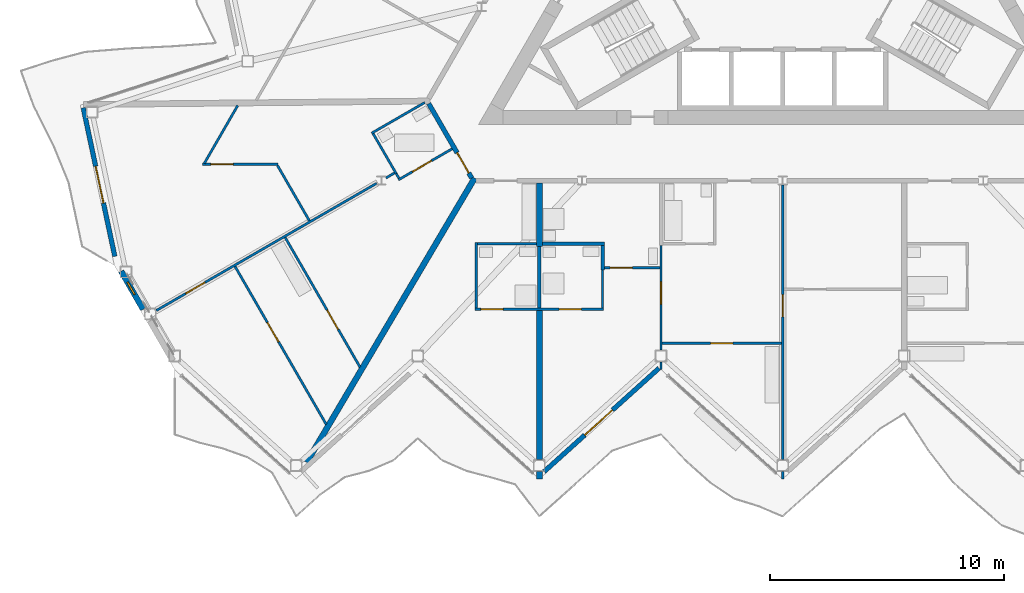
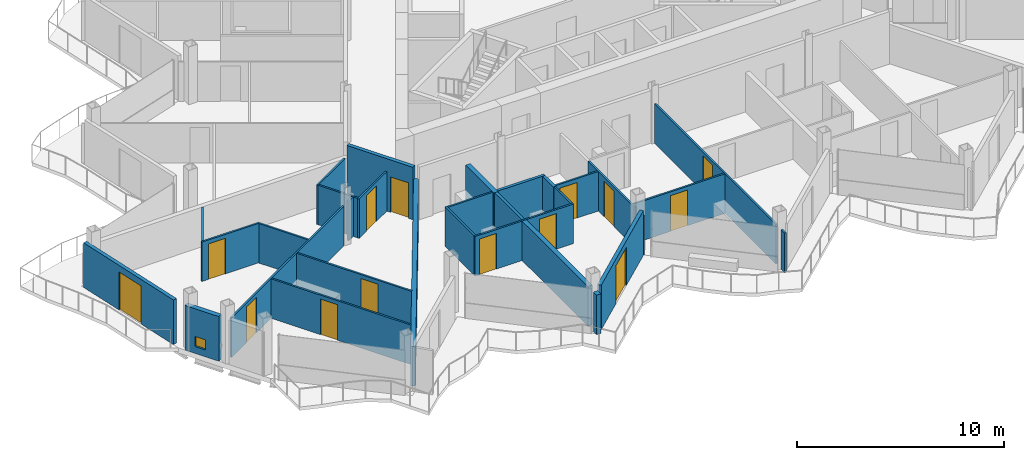
# One storey, part 12 of 26: 32 walls, 14 doors, 1 window, 15 openings.
"""IFC4 building model written with IfcOpenShell, lengths in metres."""

from ifc_helpers import new_model, si_unit, direction, frame, frame_2d, origin, place, context, subcontext, project, spatial, rectangle, extrude, material, layer, layer_set, type_object, element, fill, save


model = new_model("IFC4")

# Units and contexts
model_context = context("Model", 3, precision=1e-05, world=origin(), true_north=direction((0.0, 1.0)))
body_context = subcontext(model_context, "Body", "Model", "MODEL_VIEW")
ifc_project = project(units=[si_unit("LENGTHUNIT", "METRE"), si_unit("AREAUNIT", "SQUARE_METRE"), si_unit("VOLUMEUNIT", "CUBIC_METRE"), si_unit("PLANEANGLEUNIT", "RADIAN"), si_unit("MASSUNIT", "GRAM", prefix="KILO")], contexts=[model_context])

# Site, building, storey
site_placement = place(None, origin())
site = spatial("IfcSite", under=ifc_project, at=site_placement, CompositionType="ELEMENT")
building_placement = place(site_placement, origin())
building = spatial("IfcBuilding", under=site, at=building_placement, Name="Cormorant Prow Tower", CompositionType="ELEMENT")
storey_placement = place(building_placement, frame((0.0, 0.0, 371.199951171875)))
storey = spatial("IfcBuildingStorey", under=building, at=storey_placement, Name="L83", CompositionType="ELEMENT", Elevation=371.199951171875)

# Wall, opening, door
ifc_material_1 = material(Name="Gypsum board corridor wall")
ifc_layer_1 = layer(ifc_material_1, 0.199951171875)
ifc_layer_set_1 = layer_set([ifc_layer_1], Name="Gypsum board corridor wall")
wall_type_1 = type_object("IfcWallType", Name="Corridor wall 200", PredefinedType="PARTITIONING", material=ifc_layer_set_1)
wall_1_placement = place(storey_placement, frame((-15.13134765625, -6.61376953125, 0.0), z_axis=(0.0, 0.0, 1.0), x_axis=(0.499967746641, -0.866044024469, 0.0)))
wall_1 = element("IfcWall", 1, at=wall_1_placement, inside=storey, type_object=wall_type_1, Name="Corridor wall", PredefinedType="PARTITIONING", context=body_context, shape_type="SweptSolid", body=[
    extrude(rectangle(XDim=3.676025390625, YDim=0.199951171875, at=frame_2d((1.837890625, 0.0))), origin(), (0.0, 0.0, 1.0), 3.10009765625),
])
opening_1_placement = place(wall_1_placement, frame((2.426025390625, 0.0, 0.0)))
opening_1 = element("IfcOpeningElement", 2, at=opening_1_placement, cuts=wall_1, Name="Opening L83-F53", PredefinedType="OPENING", context=body_context, shape_type="SweptSolid", body=[
    extrude(rectangle(XDim=1.0, YDim=2.10009765625, at=frame_2d((0.5, 1.050048828125))), frame((0.0, 0.10986328125, 0.0), z_axis=(0.0, -1.0, 0.0), x_axis=(1.0, 0.0, 0.0)), (0.0, 0.0, 1.0), 0.219970703125),
])
ifc_material_2 = material(Name="Timber door leaf", Category="wood")
door_type_1 = type_object("IfcDoorType", Name="Flat or room entrance door 1000x2100", OperationType="NOTDEFINED", PredefinedType="DOOR", material=ifc_material_2)
door_1_placement = place(opening_1_placement, origin())
door_1 = element("IfcDoor", 3, at=door_1_placement, inside=storey, type_object=door_type_1, Name="Living room door", OperationType="SINGLE_SWING_RIGHT", OverallHeight=2.10009765625, OverallWidth=1.0, PredefinedType="DOOR", context=body_context, shape_type="SweptSolid", body=[
    extrude(rectangle(XDim=1.0, YDim=2.10009765625, at=frame_2d((0.5, 1.050048828125))), frame((0.0, 0.02490234375, 0.0), z_axis=(0.0, -1.0, 0.0), x_axis=(1.0, 0.0, 0.0)), (0.0, 0.0, 1.0), 0.050048828125),
])
fill(opening_1, door_1)

ifc_material_3 = material(Name="Gypsum board partition")
ifc_layer_2 = layer(ifc_material_3, 0.10009765625)
ifc_layer_set_2 = layer_set([ifc_layer_2], Name="Gypsum board partition")
wall_type_2 = type_object("IfcWallType", Name="Internal partition 100", PredefinedType="PARTITIONING", material=ifc_layer_set_2)
wall_2_placement = place(storey_placement, frame((0.0, -21.827880859375, 0.0), z_axis=(0.0, 0.0, 1.0), x_axis=(0.0, 1.0, 0.0)))
wall_2 = element("IfcWall", 4, at=wall_2_placement, inside=storey, type_object=wall_type_2, Name="Internal partition", PredefinedType="PARTITIONING", context=body_context, shape_type="SweptSolid", body=[
    extrude(rectangle(XDim=11.725341796875, YDim=0.10009765625, at=frame_2d((5.86279296875, 0.0))), origin(), (0.0, 0.0, 1.0), 2.330078125),
])
opening_2_placement = place(wall_2_placement, frame((6.0927734375, 0.0, 0.0)))
opening_2 = element("IfcOpeningElement", 5, at=opening_2_placement, cuts=wall_2, Name="Opening L83-F08", PredefinedType="OPENING", context=body_context, shape_type="SweptSolid", body=[
    extrude(rectangle(XDim=0.949951171875, YDim=2.10009765625, at=frame_2d((0.47509765625, 1.050048828125))), frame((0.0, 0.06005859375, 0.0), z_axis=(0.0, -1.0, 0.0), x_axis=(1.0, 0.0, 0.0)), (0.0, 0.0, 1.0), 0.1201171875),
])
ifc_material_4 = material(Name="Timber door leaf", Category="wood")
door_type_2 = type_object("IfcDoorType", Name="Bathroom door 950x2100", OperationType="NOTDEFINED", PredefinedType="DOOR", material=ifc_material_4)
door_2_placement = place(opening_2_placement, origin())
door_2 = element("IfcDoor", 6, at=door_2_placement, inside=storey, type_object=door_type_2, Name="Living room door", OperationType="SINGLE_SWING_RIGHT", OverallHeight=2.10009765625, OverallWidth=0.949951171875, PredefinedType="DOOR", context=body_context, shape_type="SweptSolid", body=[
    extrude(rectangle(XDim=0.949951171875, YDim=2.10009765625, at=frame_2d((0.47509765625, 1.050048828125))), frame((0.0, 0.02490234375, 0.0), z_axis=(0.0, -1.0, 0.0), x_axis=(1.0, 0.0, 0.0)), (0.0, 0.0, 1.0), 0.050048828125),
])
fill(opening_2, door_2)

wall_3_placement = place(storey_placement, frame((-26.77685546875, -15.459716796875, 0.0), z_axis=(0.0, 0.0, 1.0), x_axis=(0.866019680922, 0.500009912158, 0.0)))
wall_3 = element("IfcWall", 7, at=wall_3_placement, inside=storey, type_object=wall_type_2, Name="Internal partition", PredefinedType="PARTITIONING", context=body_context, shape_type="SweptSolid", body=[
    extrude(rectangle(XDim=10.880615234375, YDim=0.10009765625, at=frame_2d((5.4404296875, 0.0))), origin(), (0.0, 0.0, 1.0), 2.330078125),
])
opening_3_placement = place(wall_3_placement, frame((1.453857421875, 0.0, 0.0)))
opening_3 = element("IfcOpeningElement", 8, at=opening_3_placement, cuts=wall_3, Name="Opening L83-F57", PredefinedType="OPENING", context=body_context, shape_type="SweptSolid", body=[
    extrude(rectangle(XDim=0.949951171875, YDim=2.10009765625, at=frame_2d((0.47509765625, 1.050048828125))), frame((0.0, 0.06005859375, 0.0), z_axis=(0.0, -1.0, 0.0), x_axis=(1.0, 0.0, 0.0)), (0.0, 0.0, 1.0), 0.1201171875),
])
door_3_placement = place(opening_3_placement, origin())
door_3 = element("IfcDoor", 9, at=door_3_placement, inside=storey, type_object=door_type_2, Name="Dining room door", OperationType="SINGLE_SWING_RIGHT", OverallHeight=2.10009765625, OverallWidth=0.949951171875, PredefinedType="DOOR", context=body_context, shape_type="SweptSolid", body=[
    extrude(rectangle(XDim=0.949951171875, YDim=2.10009765625, at=frame_2d((0.47509765625, 1.050048828125))), frame((0.0, 0.02490234375, 0.0), z_axis=(0.0, -1.0, 0.0), x_axis=(1.0, 0.0, 0.0)), (0.0, 0.0, 1.0), 0.050048828125),
])
fill(opening_3, door_3)

wall_4_placement = place(storey_placement, frame((-23.41259765625, -13.574951171875, 0.0), z_axis=(0.0, 0.0, 1.0), x_axis=(0.499998958472, -0.86602600511, 0.0)))
wall_4 = element("IfcWall", 10, at=wall_4_placement, inside=storey, type_object=wall_type_2, Name="Internal partition", PredefinedType="PARTITIONING", context=body_context, shape_type="SweptSolid", body=[
    extrude(rectangle(XDim=7.7958984375, YDim=0.10009765625, at=frame_2d((3.89794921875, 0.0))), origin(), (0.0, 0.0, 1.0), 2.330078125),
])
opening_4_placement = place(wall_4_placement, frame((2.76806640625, 0.0, 0.0)))
opening_4 = element("IfcOpeningElement", 11, at=opening_4_placement, cuts=wall_4, Name="Opening L83-F56", PredefinedType="OPENING", context=body_context, shape_type="SweptSolid", body=[
    extrude(rectangle(XDim=0.949951171875, YDim=2.10009765625, at=frame_2d((0.47509765625, 1.050048828125))), frame((0.0, 0.06005859375, 0.0), z_axis=(0.0, -1.0, 0.0), x_axis=(1.0, 0.0, 0.0)), (0.0, 0.0, 1.0), 0.1201171875),
])
door_4_placement = place(opening_4_placement, origin())
door_4 = element("IfcDoor", 12, at=door_4_placement, inside=storey, type_object=door_type_2, Name="Kitchen door", OperationType="SINGLE_SWING_RIGHT", OverallHeight=2.10009765625, OverallWidth=0.949951171875, PredefinedType="DOOR", context=body_context, shape_type="SweptSolid", body=[
    extrude(rectangle(XDim=0.949951171875, YDim=2.10009765625, at=frame_2d((0.47509765625, 1.050048828125))), frame((0.0, 0.02490234375, 0.0), z_axis=(0.0, -1.0, 0.0), x_axis=(1.0, 0.0, 0.0)), (0.0, 0.0, 1.0), 0.050048828125),
])
fill(opening_4, door_4)

wall_5_placement = place(storey_placement, frame((-21.269287109375, -12.33740234375, 0.0), z_axis=(0.0, 0.0, 1.0), x_axis=(0.499983315828, -0.866035036182, 0.0)))
wall_5 = element("IfcWall", 13, at=wall_5_placement, inside=storey, type_object=wall_type_2, Name="Internal partition", PredefinedType="PARTITIONING", context=body_context, shape_type="SweptSolid", body=[
    extrude(rectangle(XDim=6.400146484375, YDim=0.10009765625, at=frame_2d((3.2001953125, 0.0))), origin(), (0.0, 0.0, 1.0), 2.330078125),
])
opening_5_placement = place(wall_5_placement, frame((3.583740234375, 0.0, 0.0)))
opening_5 = element("IfcOpeningElement", 14, at=opening_5_placement, cuts=wall_5, Name="Opening L83-F55", PredefinedType="OPENING", context=body_context, shape_type="SweptSolid", body=[
    extrude(rectangle(XDim=0.949951171875, YDim=2.10009765625, at=frame_2d((0.47509765625, 1.050048828125))), frame((0.0, 0.06005859375, 0.0), z_axis=(0.0, -1.0, 0.0), x_axis=(1.0, 0.0, 0.0)), (0.0, 0.0, 1.0), 0.1201171875),
])
door_5_placement = place(opening_5_placement, origin())
door_5 = element("IfcDoor", 15, at=door_5_placement, inside=storey, type_object=door_type_2, Name="Living room door", OperationType="SINGLE_SWING_RIGHT", OverallHeight=2.10009765625, OverallWidth=0.949951171875, PredefinedType="DOOR", context=body_context, shape_type="SweptSolid", body=[
    extrude(rectangle(XDim=0.949951171875, YDim=2.10009765625, at=frame_2d((0.47509765625, 1.050048828125))), frame((0.0, 0.02490234375, 0.0), z_axis=(0.0, -1.0, 0.0), x_axis=(1.0, 0.0, 0.0)), (0.0, 0.0, 1.0), 0.050048828125),
])
fill(opening_5, door_5)

# Wall, openings, doors
wall_6_placement = place(storey_placement, frame((-13.14990234375, -15.405517578125, 0.0), z_axis=(0.0, 0.0, 1.0), x_axis=(1.0, 0.0, 0.0)))
wall_6 = element("IfcWall", 16, at=wall_6_placement, inside=storey, type_object=wall_type_2, Name="Internal partition", PredefinedType="PARTITIONING", context=body_context, shape_type="SweptSolid", body=[
    extrude(rectangle(XDim=5.5, YDim=0.10009765625, at=frame_2d((2.75, 0.0))), origin(), (0.0, 0.0, 1.0), 2.330078125),
])
opening_6_placement = place(wall_6_placement, frame((0.25, 0.0, 0.0)))
opening_6 = element("IfcOpeningElement", 17, at=opening_6_placement, cuts=wall_6, Name="Opening L83-F02", PredefinedType="OPENING", context=body_context, shape_type="SweptSolid", body=[
    extrude(rectangle(XDim=0.949951171875, YDim=2.10009765625, at=frame_2d((0.47509765625, 1.050048828125))), frame((0.0, 0.06005859375, 0.0), z_axis=(0.0, -1.0, 0.0), x_axis=(1.0, 0.0, 0.0)), (0.0, 0.0, 1.0), 0.1201171875),
])
opening_7_placement = place(wall_6_placement, frame((3.59130859375, 0.0, 0.0)))
opening_7 = element("IfcOpeningElement", 18, at=opening_7_placement, cuts=wall_6, Name="Opening L83-F10", PredefinedType="OPENING", context=body_context, shape_type="SweptSolid", body=[
    extrude(rectangle(XDim=0.949951171875, YDim=2.10009765625, at=frame_2d((0.47509765625, 1.050048828125))), frame((0.0, 0.06005859375, 0.0), z_axis=(0.0, -1.0, 0.0), x_axis=(1.0, 0.0, 0.0)), (0.0, 0.0, 1.0), 0.1201171875),
])
door_6_placement = place(opening_6_placement, origin())
door_6 = element("IfcDoor", 19, at=door_6_placement, inside=storey, type_object=door_type_2, Name="Studio living, kitchen and sleeping room door", OperationType="SINGLE_SWING_LEFT", OverallHeight=2.10009765625, OverallWidth=0.949951171875, PredefinedType="DOOR", context=body_context, shape_type="SweptSolid", body=[
    extrude(rectangle(XDim=0.949951171875, YDim=2.10009765625, at=frame_2d((0.47509765625, 1.050048828125))), frame((0.0, 0.02490234375, 0.0), z_axis=(0.0, -1.0, 0.0), x_axis=(1.0, 0.0, 0.0)), (0.0, 0.0, 1.0), 0.050048828125),
])
fill(opening_6, door_6)
door_7_placement = place(opening_7_placement, origin())
door_7 = element("IfcDoor", 20, at=door_7_placement, inside=storey, type_object=door_type_2, Name="Bedroom door", OperationType="SINGLE_SWING_LEFT", OverallHeight=2.10009765625, OverallWidth=0.949951171875, PredefinedType="DOOR", context=body_context, shape_type="SweptSolid", body=[
    extrude(rectangle(XDim=0.949951171875, YDim=2.10009765625, at=frame_2d((0.47509765625, 1.050048828125))), frame((0.0, 0.02490234375, 0.0), z_axis=(0.0, -1.0, 0.0), x_axis=(1.0, 0.0, 0.0)), (0.0, 0.0, 1.0), 0.050048828125),
])
fill(opening_7, door_7)

# Wall, opening, door
wall_7_placement = place(storey_placement, frame((-5.14990234375, -16.863037109375, 0.0), z_axis=(0.0, 0.0, 1.0), x_axis=(1.0, 0.0, 0.0)))
wall_7 = element("IfcWall", 21, at=wall_7_placement, inside=storey, type_object=wall_type_2, Name="Internal partition", PredefinedType="PARTITIONING", context=body_context, shape_type="SweptSolid", body=[
    extrude(rectangle(XDim=5.099853515625, YDim=0.10009765625, at=frame_2d((2.5498046875, 0.0))), origin(), (0.0, 0.0, 1.0), 2.330078125),
])
opening_8_placement = place(wall_7_placement, frame((2.074951171875, 0.0, 0.0)))
opening_8 = element("IfcOpeningElement", 22, at=opening_8_placement, cuts=wall_7, Name="Opening L83-F05", PredefinedType="OPENING", context=body_context, shape_type="SweptSolid", body=[
    extrude(rectangle(XDim=0.949951171875, YDim=2.10009765625, at=frame_2d((0.47509765625, 1.050048828125))), frame((0.0, 0.06005859375, 0.0), z_axis=(0.0, -1.0, 0.0), x_axis=(1.0, 0.0, 0.0)), (0.0, 0.0, 1.0), 0.1201171875),
])
door_8_placement = place(opening_8_placement, origin())
door_8 = element("IfcDoor", 23, at=door_8_placement, inside=storey, type_object=door_type_2, Name="Living room door", OperationType="SINGLE_SWING_LEFT", OverallHeight=2.10009765625, OverallWidth=0.949951171875, PredefinedType="DOOR", context=body_context, shape_type="SweptSolid", body=[
    extrude(rectangle(XDim=0.949951171875, YDim=2.10009765625, at=frame_2d((0.47509765625, 1.050048828125))), frame((0.0, 0.02490234375, 0.0), z_axis=(0.0, -1.0, 0.0), x_axis=(1.0, 0.0, 0.0)), (0.0, 0.0, 1.0), 0.050048828125),
])
fill(opening_8, door_8)

wall_8_placement = place(storey_placement, frame((-5.199951171875, -17.145751953125, 0.0), z_axis=(0.0, 0.0, 1.0), x_axis=(0.0, 1.0, 0.0)))
wall_8 = element("IfcWall", 24, at=wall_8_placement, inside=storey, type_object=wall_type_2, Name="Internal partition", PredefinedType="PARTITIONING", context=body_context, shape_type="SweptSolid", body=[
    extrude(rectangle(XDim=4.465087890625, YDim=0.10009765625, at=frame_2d((2.232421875, 0.0))), origin(), (0.0, 0.0, 1.0), 2.330078125),
])
opening_9_placement = place(wall_8_placement, frame((1.95849609375, 0.0, 0.0)))
opening_9 = element("IfcOpeningElement", 25, at=opening_9_placement, cuts=wall_8, Name="Opening L83-F06", PredefinedType="OPENING", context=body_context, shape_type="SweptSolid", body=[
    extrude(rectangle(XDim=0.949951171875, YDim=2.10009765625, at=frame_2d((0.47509765625, 1.050048828125))), frame((0.0, 0.06005859375, 0.0), z_axis=(0.0, -1.0, 0.0), x_axis=(1.0, 0.0, 0.0)), (0.0, 0.0, 1.0), 0.1201171875),
])
door_9_placement = place(opening_9_placement, origin())
door_9 = element("IfcDoor", 26, at=door_9_placement, inside=storey, type_object=door_type_2, Name="Living room door", OperationType="SINGLE_SWING_RIGHT", OverallHeight=2.10009765625, OverallWidth=0.949951171875, PredefinedType="DOOR", context=body_context, shape_type="SweptSolid", body=[
    extrude(rectangle(XDim=0.949951171875, YDim=2.10009765625, at=frame_2d((0.47509765625, 1.050048828125))), frame((0.0, 0.02490234375, 0.0), z_axis=(0.0, -1.0, 0.0), x_axis=(1.0, 0.0, 0.0)), (0.0, 0.0, 1.0), 0.050048828125),
])
fill(opening_9, door_9)

wall_9_placement = place(storey_placement, frame((-24.80078125, -9.21240234375, 0.0), z_axis=(0.0, 0.0, 1.0), x_axis=(1.0, 0.0, 0.0)))
wall_9 = element("IfcWall", 27, at=wall_9_placement, inside=storey, type_object=wall_type_2, Name="Internal partition", PredefinedType="PARTITIONING", context=body_context, shape_type="SweptSolid", body=[
    extrude(rectangle(XDim=3.2255859375, YDim=0.10009765625, at=frame_2d((1.61279296875, 0.0))), origin(), (0.0, 0.0, 1.0), 2.330078125),
])
opening_10_placement = place(wall_9_placement, frame((0.3544921875, 0.0, 0.0)))
opening_10 = element("IfcOpeningElement", 28, at=opening_10_placement, cuts=wall_9, Name="Opening L83-F58", PredefinedType="OPENING", context=body_context, shape_type="SweptSolid", body=[
    extrude(rectangle(XDim=0.949951171875, YDim=2.10009765625, at=frame_2d((0.47509765625, 1.050048828125))), frame((0.0, 0.06005859375, 0.0), z_axis=(0.0, -1.0, 0.0), x_axis=(1.0, 0.0, 0.0)), (0.0, 0.0, 1.0), 0.1201171875),
])
door_10_placement = place(opening_10_placement, origin())
door_10 = element("IfcDoor", 29, at=door_10_placement, inside=storey, type_object=door_type_2, Name="Principal bedroom door", OperationType="SINGLE_SWING_LEFT", OverallHeight=2.10009765625, OverallWidth=0.949951171875, PredefinedType="DOOR", context=body_context, shape_type="SweptSolid", body=[
    extrude(rectangle(XDim=0.949951171875, YDim=2.10009765625, at=frame_2d((0.47509765625, 1.050048828125))), frame((0.0, 0.02490234375, 0.0), z_axis=(0.0, -1.0, 0.0), x_axis=(1.0, 0.0, 0.0)), (0.0, 0.0, 1.0), 0.050048828125),
])
fill(opening_10, door_10)

# Walls
wall_10_placement = place(storey_placement, frame((-24.725830078125, -9.169189453125, 0.0), z_axis=(0.0, 0.0, 1.0), x_axis=(0.499971481985, 0.866041868042, 0.0)))
element("IfcWall", 30, at=wall_10_placement, inside=storey, type_object=wall_type_2, Name="Internal partition", PredefinedType="PARTITIONING", context=body_context, shape_type="SweptSolid", body=[
    extrude(rectangle(XDim=2.857177734375, YDim=0.10009765625, at=frame_2d((1.4287109375, 0.0))), origin(), (0.0, 0.0, 1.0), 2.330078125),
])
wall_11_placement = place(storey_placement, frame((-21.60009765625, -9.255859375, 0.0), z_axis=(0.0, 0.0, 1.0), x_axis=(0.500018733116, -0.866014587945, 0.0)))
element("IfcWall", 31, at=wall_11_placement, inside=storey, type_object=wall_type_2, Name="Internal partition", PredefinedType="PARTITIONING", context=body_context, shape_type="SweptSolid", body=[
    extrude(rectangle(XDim=2.734375, YDim=0.10009765625, at=frame_2d((1.3671875, 0.0))), origin(), (0.0, 0.0, 1.0), 2.330078125),
])
wall_12_placement = place(storey_placement, frame((-13.10009765625, -15.355712890625, 0.0), z_axis=(0.0, 0.0, 1.0), x_axis=(0.0, 1.0, 0.0)))
element("IfcWall", 32, at=wall_12_placement, inside=storey, type_object=wall_type_2, Name="Internal partition", PredefinedType="PARTITIONING", context=body_context, shape_type="SweptSolid", body=[
    extrude(rectangle(XDim=2.800048828125, YDim=0.10009765625, at=frame_2d((1.39990234375, 0.0))), origin(), (0.0, 0.0, 1.0), 2.330078125),
])
wall_13_placement = place(storey_placement, frame((-17.575439453125, -7.880615234375, 0.0), z_axis=(0.0, 0.0, 1.0), x_axis=(0.866036909293, 0.499980071345, 0.0)))
element("IfcWall", 33, at=wall_13_placement, inside=storey, type_object=wall_type_2, Name="Internal partition", PredefinedType="PARTITIONING", context=body_context, shape_type="SweptSolid", body=[
    extrude(rectangle(XDim=2.625, YDim=0.10009765625, at=frame_2d((1.3125, 0.0))), origin(), (0.0, 0.0, 1.0), 2.330078125),
])
wall_14_placement = place(storey_placement, frame((-13.050048828125, -12.605712890625, 0.0), z_axis=(0.0, 0.0, 1.0), x_axis=(1.0, 0.0, 0.0)))
element("IfcWall", 34, at=wall_14_placement, inside=storey, type_object=wall_type_2, Name="Internal partition", PredefinedType="PARTITIONING", context=body_context, shape_type="SweptSolid", body=[
    extrude(rectangle(XDim=2.525146484375, YDim=0.10009765625, at=frame_2d((1.2626953125, 0.0))), origin(), (0.0, 0.0, 1.0), 2.330078125),
])

# Wall, opening, door
wall_15_placement = place(storey_placement, frame((-16.4248046875, -9.871826171875, 0.0), z_axis=(0.0, 0.0, 1.0), x_axis=(0.86603978909, 0.499975083092, 0.0)))
wall_15 = element("IfcWall", 35, at=wall_15_placement, inside=storey, type_object=wall_type_2, Name="Internal partition", PredefinedType="PARTITIONING", context=body_context, shape_type="SweptSolid", body=[
    extrude(rectangle(XDim=2.649169921875, YDim=0.10009765625, at=frame_2d((1.32470703125, 0.0))), origin(), (0.0, 0.0, 1.0), 2.330078125),
])
opening_11_placement = place(wall_15_placement, frame((0.68603515625, 0.0, 0.0)))
opening_11 = element("IfcOpeningElement", 36, at=opening_11_placement, cuts=wall_15, Name="Opening L83-F54", PredefinedType="OPENING", context=body_context, shape_type="SweptSolid", body=[
    extrude(rectangle(XDim=0.949951171875, YDim=2.10009765625, at=frame_2d((0.47509765625, 1.050048828125))), frame((0.0, 0.06005859375, 0.0), z_axis=(0.0, -1.0, 0.0), x_axis=(1.0, 0.0, 0.0)), (0.0, 0.0, 1.0), 0.1201171875),
])
door_11_placement = place(opening_11_placement, origin())
door_11 = element("IfcDoor", 37, at=door_11_placement, inside=storey, type_object=door_type_2, Name="Living room door", OperationType="SINGLE_SWING_LEFT", OverallHeight=2.10009765625, OverallWidth=0.949951171875, PredefinedType="DOOR", context=body_context, shape_type="SweptSolid", body=[
    extrude(rectangle(XDim=0.949951171875, YDim=2.10009765625, at=frame_2d((0.47509765625, 1.050048828125))), frame((0.0, 0.02490234375, 0.0), z_axis=(0.0, -1.0, 0.0), x_axis=(1.0, 0.0, 0.0)), (0.0, 0.0, 1.0), 0.050048828125),
])
fill(opening_11, door_11)

wall_16_placement = place(storey_placement, frame((-7.625, -13.63720703125, 0.0), z_axis=(0.0, 0.0, 1.0), x_axis=(1.0, 0.0, 0.0)))
wall_16 = element("IfcWall", 38, at=wall_16_placement, inside=storey, type_object=wall_type_2, Name="Internal partition", PredefinedType="PARTITIONING", context=body_context, shape_type="SweptSolid", body=[
    extrude(rectangle(XDim=2.375, YDim=0.10009765625, at=frame_2d((1.1875, 0.0))), origin(), (0.0, 0.0, 1.0), 2.330078125),
])
opening_12_placement = place(wall_16_placement, frame((0.25, 0.0, 0.0)))
opening_12 = element("IfcOpeningElement", 39, at=opening_12_placement, cuts=wall_16, Name="Opening L83-F07", PredefinedType="OPENING", context=body_context, shape_type="SweptSolid", body=[
    extrude(rectangle(XDim=0.949951171875, YDim=2.10009765625, at=frame_2d((0.47509765625, 1.050048828125))), frame((0.0, 0.06005859375, 0.0), z_axis=(0.0, -1.0, 0.0), x_axis=(1.0, 0.0, 0.0)), (0.0, 0.0, 1.0), 0.1201171875),
])
door_12_placement = place(opening_12_placement, origin())
door_12 = element("IfcDoor", 40, at=door_12_placement, inside=storey, type_object=door_type_2, Name="Bedroom door", OperationType="SINGLE_SWING_LEFT", OverallHeight=2.10009765625, OverallWidth=0.949951171875, PredefinedType="DOOR", context=body_context, shape_type="SweptSolid", body=[
    extrude(rectangle(XDim=0.949951171875, YDim=2.10009765625, at=frame_2d((0.47509765625, 1.050048828125))), frame((0.0, 0.02490234375, 0.0), z_axis=(0.0, -1.0, 0.0), x_axis=(1.0, 0.0, 0.0)), (0.0, 0.0, 1.0), 0.050048828125),
])
fill(opening_12, door_12)

# Walls
wall_17_placement = place(storey_placement, frame((-17.507080078125, -7.898681640625, 0.0), z_axis=(0.0, 0.0, 1.0), x_axis=(0.500011643316, -0.866018681408, 0.0)))
element("IfcWall", 41, at=wall_17_placement, inside=storey, type_object=wall_type_2, Name="Internal partition", PredefinedType="PARTITIONING", context=body_context, shape_type="SweptSolid", body=[
    extrude(rectangle(XDim=1.97314453125, YDim=0.10009765625, at=frame_2d((0.986572265625, 0.0))), origin(), (0.0, 0.0, 1.0), 2.330078125),
])
wall_18_placement = place(storey_placement, frame((-7.699951171875, -15.355712890625, 0.0), z_axis=(0.0, 0.0, 1.0), x_axis=(0.0, 1.0, 0.0)))
element("IfcWall", 42, at=wall_18_placement, inside=storey, type_object=wall_type_2, Name="Internal partition", PredefinedType="PARTITIONING", context=body_context, shape_type="SweptSolid", body=[
    extrude(rectangle(XDim=1.653564453125, YDim=0.10009765625, at=frame_2d((0.82666015625, 0.0))), origin(), (0.0, 0.0, 1.0), 2.330078125),
])
wall_19_placement = place(storey_placement, frame((-16.9599609375, -9.791748046875, 0.0), z_axis=(0.0, 0.0, 1.0), x_axis=(0.866137484628, 0.499805820016, 0.0)))
element("IfcWall", 43, at=wall_19_placement, inside=storey, type_object=wall_type_2, Name="Internal partition", PredefinedType="PARTITIONING", context=body_context, shape_type="SweptSolid", body=[
    extrude(rectangle(XDim=0.422607421875, YDim=0.10009765625, at=frame_2d((0.21142578125, 0.0))), origin(), (0.0, 0.0, 1.0), 2.330078125),
])
for number, where, z_axis, x_axis, name in (
    (44, (-5.199951171875, -17.9833984375, 0.0), (0.0, 0.0, 1.0), (0.0, 1.0, 0.0), "Internal partition"),
    (45, (0.0, -22.66552734375, 0.0), (0.0, 0.0, 1.0), (0.0, 1.0, 0.0), "Internal partition"),
):
    element("IfcWall", number, at=place(storey_placement, frame(where, z_axis=z_axis, x_axis=x_axis)), inside=storey, type_object=wall_type_2, Name=name, PredefinedType="PARTITIONING", context=body_context, shape_type="SweptSolid", body=[
        extrude(rectangle(XDim=0.317626953125, YDim=0.10009765625, at=frame_2d((0.15869140625, 0.0))), origin(), (0.0, 0.0, 1.0), 2.330078125),
    ])
wall_20_placement = place(storey_placement, frame((-16.519287109375, -9.609619140625, 0.0), z_axis=(0.0, 0.0, 1.0), x_axis=(0.50245032488, -0.864606078528, 0.0)))
element("IfcWall", 46, at=wall_20_placement, inside=storey, type_object=wall_type_2, Name="Internal partition", PredefinedType="PARTITIONING", context=body_context, shape_type="SweptSolid", body=[
    extrude(rectangle(XDim=0.224365234375, YDim=0.10009765625, at=frame_2d((0.1123046875, 0.0))), origin(), (0.0, 0.0, 1.0), 2.330078125),
])
ifc_material_5 = material(Name="Acoustic gypsum party wall")
ifc_layer_3 = layer(ifc_material_5, 0.25)
ifc_layer_set_3 = layer_set([ifc_layer_3], Name="Acoustic gypsum party wall")
wall_type_3 = type_object("IfcWallType", Name="Suite party wall 250", PredefinedType="PARTITIONING", material=ifc_layer_set_3)
wall_21_placement = place(storey_placement, frame((-20.351318359375, -21.9560546875, 0.0), z_axis=(0.0, 0.0, 1.0), x_axis=(0.508713003719, 0.860936164793, 0.0)))
element("IfcWall", 47, at=wall_21_placement, inside=storey, type_object=wall_type_3, Name="Suite party wall", PredefinedType="PARTITIONING", context=body_context, shape_type="SweptSolid", body=[
    extrude(rectangle(XDim=14.1220703125, YDim=0.25, at=frame_2d((7.06103515625, 0.0))), origin(), (0.0, 0.0, 1.0), 2.330078125),
])
wall_22_placement = place(storey_placement, frame((-10.39990234375, -21.827880859375, 0.0), z_axis=(0.0, 0.0, 1.0), x_axis=(0.0, 1.0, 0.0)))
element("IfcWall", 48, at=wall_22_placement, inside=storey, type_object=wall_type_3, Name="Suite party wall", PredefinedType="PARTITIONING", context=body_context, shape_type="SweptSolid", body=[
    extrude(rectangle(XDim=6.372314453125, YDim=0.25, at=frame_2d((3.18603515625, 0.0))), origin(), (0.0, 0.0, 1.0), 2.330078125),
])
wall_23_placement = place(storey_placement, frame((-10.39990234375, -12.730712890625, 0.0), z_axis=(0.0, 0.0, 1.0), x_axis=(0.0, 1.0, 0.0)))
element("IfcWall", 49, at=wall_23_placement, inside=storey, type_object=wall_type_3, Name="Suite party wall", PredefinedType="PARTITIONING", context=body_context, shape_type="SweptSolid", body=[
    extrude(rectangle(XDim=2.72509765625, YDim=0.25, at=frame_2d((1.362548828125, 0.0))), origin(), (0.0, 0.0, 1.0), 2.330078125),
])
wall_24_placement = place(storey_placement, frame((-10.39990234375, -22.66552734375, 0.0), z_axis=(0.0, 0.0, 1.0), x_axis=(0.0, 1.0, 0.0)))
element("IfcWall", 50, at=wall_24_placement, inside=storey, type_object=wall_type_3, Name="Suite party wall", PredefinedType="PARTITIONING", context=body_context, shape_type="SweptSolid", body=[
    extrude(rectangle(XDim=0.317626953125, YDim=0.25, at=frame_2d((0.15869140625, 0.0))), origin(), (0.0, 0.0, 1.0), 2.330078125),
])

# Wall, opening, window
ifc_material_6 = material(Name="Terracotta", Category="masonry")
ifc_layer_4 = layer(ifc_material_6, 0.25)
ifc_layer_set_4 = layer_set([ifc_layer_4], Name="Terracotta")
wall_type_4 = type_object("IfcWallType", Name="Terracotta bay wall 250", PredefinedType="SOLIDWALL", material=ifc_layer_set_4)
wall_25_placement = place(storey_placement, frame((-28.282958984375, -13.779296875, 0.0), z_axis=(0.0, 0.0, 1.0), x_axis=(0.500044242988, -0.865999858577, 0.0)))
wall_25 = element("IfcWall", 51, at=wall_25_placement, inside=storey, type_object=wall_type_4, Name="Terracotta bay wall WSW00", PredefinedType="SOLIDWALL", context=body_context, shape_type="SweptSolid", body=[
    extrude(rectangle(XDim=1.882568359375, YDim=0.25, at=frame_2d((0.94140625, 0.0))), origin(), (0.0, 0.0, 1.0), 2.634033203125),
])
opening_13_placement = place(wall_25_placement, frame((0.550048828125, 0.0, 0.39990234375)))
opening_13 = element("IfcOpeningElement", 52, at=opening_13_placement, cuts=wall_25, Name="Opening WN10", PredefinedType="OPENING", context=body_context, shape_type="SweptSolid", body=[
    extrude(rectangle(XDim=0.60009765625, YDim=0.60009765625, at=frame_2d((0.300048828125, 0.300048828125))), frame((0.0, 0.135009765625, 0.0), z_axis=(0.0, -1.0, 0.0), x_axis=(1.0, 0.0, 0.0)), (0.0, 0.0, 1.0), 0.27001953125),
])
ifc_material_7 = material(Name="Aluminium 6063-T6", Category="aluminium")
window_type = type_object("IfcWindowType", Name="Corner bay window 600x600", PartitioningType="SINGLE_PANEL", PredefinedType="WINDOW", material=ifc_material_7)
window_placement = place(opening_13_placement, origin())
window = element("IfcWindow", 53, at=window_placement, inside=storey, type_object=window_type, Name="Corner bay window WSW00", OverallHeight=0.60009765625, OverallWidth=0.60009765625, PartitioningType="SINGLE_PANEL", PredefinedType="WINDOW", context=body_context, shape_type="SweptSolid", body=[
    extrude(rectangle(XDim=0.60009765625, YDim=0.60009765625, at=frame_2d((0.300048828125, 0.300048828125))), frame((0.0, 0.030029296875, 0.0), z_axis=(0.0, -1.0, 0.0), x_axis=(1.0, 0.0, 0.0)), (0.0, 0.0, 1.0), 0.06005859375),
])
fill(opening_13, window)

# Wall, opening, door
ifc_material_8 = material(Name="Terracotta", Category="masonry")
ifc_layer_5 = layer(ifc_material_8, 0.199951171875)
ifc_layer_set_5 = layer_set([ifc_layer_5], Name="Terracotta")
wall_type_5 = type_object("IfcWallType", Name="Terracotta jamb wall 200", PredefinedType="SOLIDWALL", material=ifc_layer_set_5)
wall_26_placement = place(storey_placement, frame((-10.19482421875, -22.346435546875, 0.0), z_axis=(0.0, 0.0, 1.0), x_axis=(0.74313432117, 0.66914227239, 0.0)))
wall_26 = element("IfcWall", 54, at=wall_26_placement, inside=storey, type_object=wall_type_5, Name="Terracotta jamb wall S03", PredefinedType="SOLIDWALL", context=body_context, shape_type="SweptSolid", body=[
    extrude(rectangle(XDim=6.60888671875, YDim=0.199951171875, at=frame_2d((3.304443359375, 0.0))), origin(), (0.0, 0.0, 1.0), 2.634033203125),
])
opening_14_placement = place(wall_26_placement, frame((2.332763671875, 0.0, 0.0)))
opening_14 = element("IfcOpeningElement", 55, at=opening_14_placement, cuts=wall_26, Name="Opening ED83.02", PredefinedType="OPENING", context=body_context, shape_type="SweptSolid", body=[
    extrude(rectangle(XDim=1.60009765625, YDim=2.25, at=frame_2d((0.800048828125, 1.125))), frame((0.0, 0.10986328125, 0.0), z_axis=(0.0, -1.0, 0.0), x_axis=(1.0, 0.0, 0.0)), (0.0, 0.0, 1.0), 0.219970703125),
])
ifc_material_9 = material(Name="Aluminium 6063-T6", Category="aluminium")
door_type_3 = type_object("IfcDoorType", Name="Balcony door 1600x2250", OperationType="DOUBLE_DOOR_SINGLE_SWING", PredefinedType="DOOR", material=ifc_material_9)
door_13_placement = place(opening_14_placement, origin())
door_13 = element("IfcDoor", 56, at=door_13_placement, inside=storey, type_object=door_type_3, Name="Balcony door S03 ED83.02", OperationType="DOUBLE_DOOR_SINGLE_SWING", OverallHeight=2.25, OverallWidth=1.60009765625, PredefinedType="DOOR", context=body_context, shape_type="SweptSolid", body=[
    extrude(rectangle(XDim=1.60009765625, YDim=2.25, at=frame_2d((0.800048828125, 1.125))), frame((0.0, 0.02490234375, 0.0), z_axis=(0.0, -1.0, 0.0), x_axis=(1.0, 0.0, 0.0)), (0.0, 0.0, 1.0), 0.050048828125),
])
fill(opening_14, door_13)

wall_27_placement = place(storey_placement, frame((-29.902587890625, -6.794677734375, 0.0), z_axis=(0.0, 0.0, 1.0), x_axis=(0.207923959653, -0.978144992832, 0.0)))
wall_27 = element("IfcWall", 57, at=wall_27_placement, inside=storey, type_object=wall_type_5, Name="Terracotta jamb wall WNW09", PredefinedType="SOLIDWALL", context=body_context, shape_type="SweptSolid", body=[
    extrude(rectangle(XDim=6.4931640625, YDim=0.199951171875, at=frame_2d((3.24658203125, 0.0))), origin(), (0.0, 0.0, 1.0), 2.634033203125),
])
opening_15_placement = place(wall_27_placement, frame((2.560791015625, 0.0, 0.0)))
opening_15 = element("IfcOpeningElement", 58, at=opening_15_placement, cuts=wall_27, Name="Opening ED83.15", PredefinedType="OPENING", context=body_context, shape_type="SweptSolid", body=[
    extrude(rectangle(XDim=1.60009765625, YDim=2.25, at=frame_2d((0.800048828125, 1.125))), frame((0.0, 0.10986328125, 0.0), z_axis=(0.0, -1.0, 0.0), x_axis=(1.0, 0.0, 0.0)), (0.0, 0.0, 1.0), 0.219970703125),
])
door_14_placement = place(opening_15_placement, origin())
door_14 = element("IfcDoor", 59, at=door_14_placement, inside=storey, type_object=door_type_3, Name="Balcony door WNW09 ED83.15", OperationType="DOUBLE_DOOR_SINGLE_SWING", OverallHeight=2.25, OverallWidth=1.60009765625, PredefinedType="DOOR", context=body_context, shape_type="SweptSolid", body=[
    extrude(rectangle(XDim=1.60009765625, YDim=2.25, at=frame_2d((0.800048828125, 1.125))), frame((0.0, 0.02490234375, 0.0), z_axis=(0.0, -1.0, 0.0), x_axis=(1.0, 0.0, 0.0)), (0.0, 0.0, 1.0), 0.050048828125),
])
fill(opening_15, door_14)

# Walls
ifc_material_10 = material(Name="Plasterboard wet wall with pipe chase")
ifc_layer_6 = layer(ifc_material_10, 0.14990234375)
ifc_layer_set_6 = layer_set([ifc_layer_6], Name="Plasterboard wet wall with pipe chase")
wall_type_6 = type_object("IfcWallType", Name="Wet wall 150", PredefinedType="PLUMBINGWALL", material=ifc_layer_set_6)
wall_28_placement = place(storey_placement, frame((-10.39990234375, -15.355712890625, 0.0), z_axis=(0.0, 0.0, 1.0), x_axis=(0.0, 1.0, 0.0)))
element("IfcWall", 60, at=wall_28_placement, inside=storey, type_object=wall_type_6, Name="Wet wall", PredefinedType="PLUMBINGWALL", context=body_context, shape_type="SweptSolid", body=[
    extrude(rectangle(XDim=2.625, YDim=0.14990234375, at=frame_2d((1.3125, 0.0))), origin(), (0.0, 0.0, 1.0), 2.330078125),
])
wall_29_placement = place(storey_placement, frame((-10.27490234375, -12.605712890625, 0.0), z_axis=(0.0, 0.0, 1.0), x_axis=(1.0, 0.0, 0.0)))
element("IfcWall", 61, at=wall_29_placement, inside=storey, type_object=wall_type_6, Name="Wet wall", PredefinedType="PLUMBINGWALL", context=body_context, shape_type="SweptSolid", body=[
    extrude(rectangle(XDim=2.64990234375, YDim=0.14990234375, at=frame_2d((1.324951171875, 0.0))), origin(), (0.0, 0.0, 1.0), 2.330078125),
])
wall_30_placement = place(storey_placement, frame((-7.699951171875, -13.72216796875, 0.0), z_axis=(0.0, 0.0, 1.0), x_axis=(0.0, 1.0, 0.0)))
element("IfcWall", 62, at=wall_30_placement, inside=storey, type_object=wall_type_6, Name="Wet wall", PredefinedType="PLUMBINGWALL", context=body_context, shape_type="SweptSolid", body=[
    extrude(rectangle(XDim=1.04150390625, YDim=0.14990234375, at=frame_2d((0.520751953125, 0.0))), origin(), (0.0, 0.0, 1.0), 2.330078125),
])

save(model, "model.ifc")
